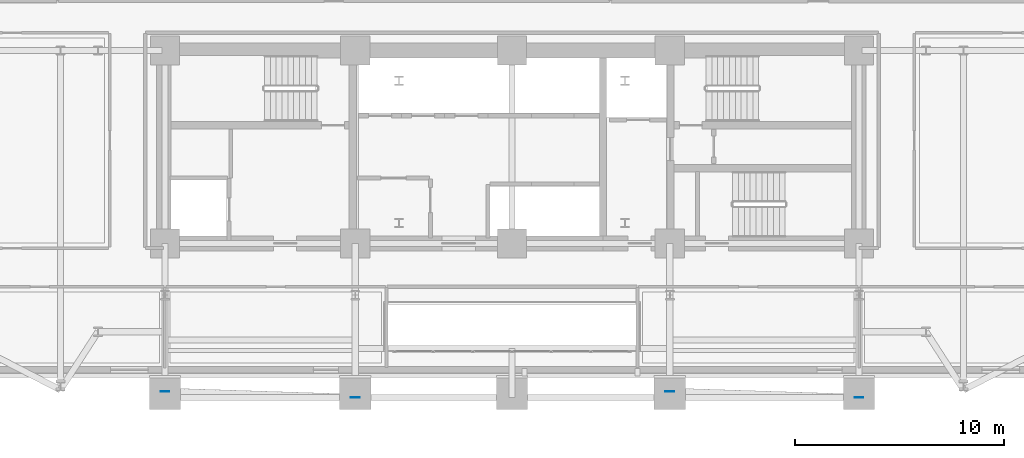
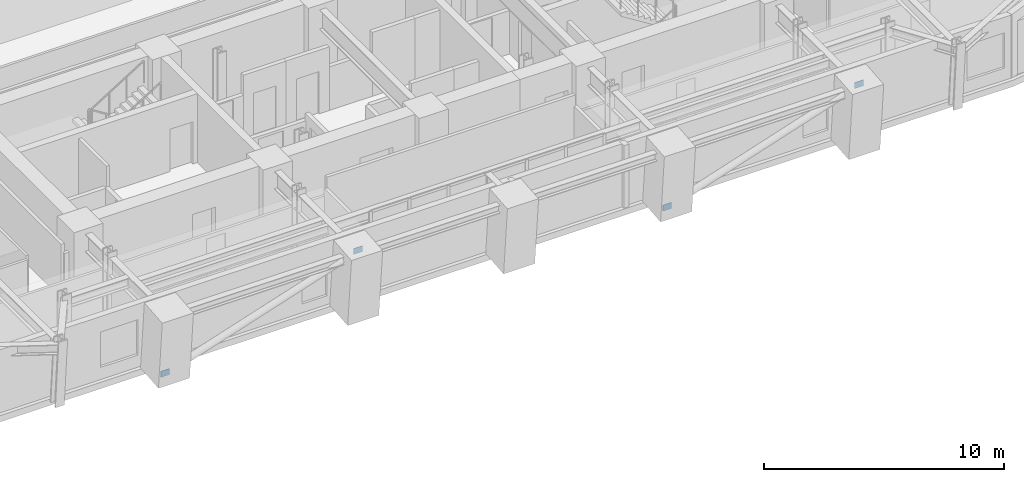
# One storey, part 7 of 14: 4 plates.
"""IFC4 building model written with IfcOpenShell, lengths in metres."""

from ifc_helpers import new_model, si_unit, direction, frame, origin, origin_2d, place, context, subcontext, project, spatial, rectangle, extrude, material, layer, layer_set, type_object, element, save


model = new_model("IFC4")

# Units and contexts
model_context = context("Model", 3, precision=1e-05, world=origin(), true_north=direction((0.0, 1.0)))
body_context = subcontext(model_context, "Body", "Model", "MODEL_VIEW")
ifc_project = project(units=[si_unit("LENGTHUNIT", "METRE"), si_unit("AREAUNIT", "SQUARE_METRE"), si_unit("VOLUMEUNIT", "CUBIC_METRE"), si_unit("PLANEANGLEUNIT", "RADIAN"), si_unit("MASSUNIT", "GRAM", prefix="KILO")], contexts=[model_context])

# Site, building, storey
site_placement = place(None, origin())
site = spatial("IfcSite", under=ifc_project, at=site_placement, CompositionType="ELEMENT")
building_placement = place(site_placement, origin())
building = spatial("IfcBuilding", under=site, at=building_placement, Name="Zarnavel Station Tower", CompositionType="ELEMENT")
storey_placement = place(building_placement, frame((0.0, 0.0, 60.5)))
storey = spatial("IfcBuildingStorey", under=building, at=storey_placement, Name="L16", CompositionType="ELEMENT", Elevation=60.5)

# Plates
ifc_material = material(Name="Steel S460M", Category="steel")
ifc_layer = layer(ifc_material, 0.02490234375)
ifc_layer_set = layer_set([ifc_layer], Name="GP_GUSSET_25")
plate_type = type_object("IfcPlateType", Name="GP_GUSSET_25", PredefinedType="USERDEFINED", material=ifc_layer_set)
for number, where, z_axis, x_axis, name in (
    (1, (12.199951171875, 20.74560546875, -0.14990234375), (0.0, 0.0, 1.0), (1.0, 0.0, 0.0), "L16 Exterior Diagonal Brace End Gusset 1-1"),
    (2, (21.300048828125, 20.451904296875, 3.08984375), (0.0, 0.0, 1.0), (1.0, 0.0, 0.0), "L16 Exterior Diagonal Brace End Gusset 1-2"),
    (3, (36.35009765625, 20.74560546875, -0.14990234375), (0.0, 0.0, 1.0), (1.0, 0.0, 0.0), "L16 Exterior Diagonal Brace End Gusset 2-1"),
    (4, (45.39990234375, 20.451904296875, 3.08984375), (0.0, 0.0, 1.0), (1.0, 0.0, 0.0), "L16 Exterior Diagonal Brace End Gusset 2-2"),
):
    element("IfcPlate", number, at=place(storey_placement, frame(where, z_axis=z_axis, x_axis=x_axis)), inside=storey, type_object=plate_type, Name=name, ObjectType="GUSSET_PLATE", PredefinedType="USERDEFINED", context=body_context, shape_type="SweptSolid", body=[
        extrude(rectangle(XDim=0.419921875, YDim=0.02490234375, at=origin_2d()), origin(), (0.0, 0.0, 1.0), 0.300048828125),
    ])

save(model, "model.ifc")
